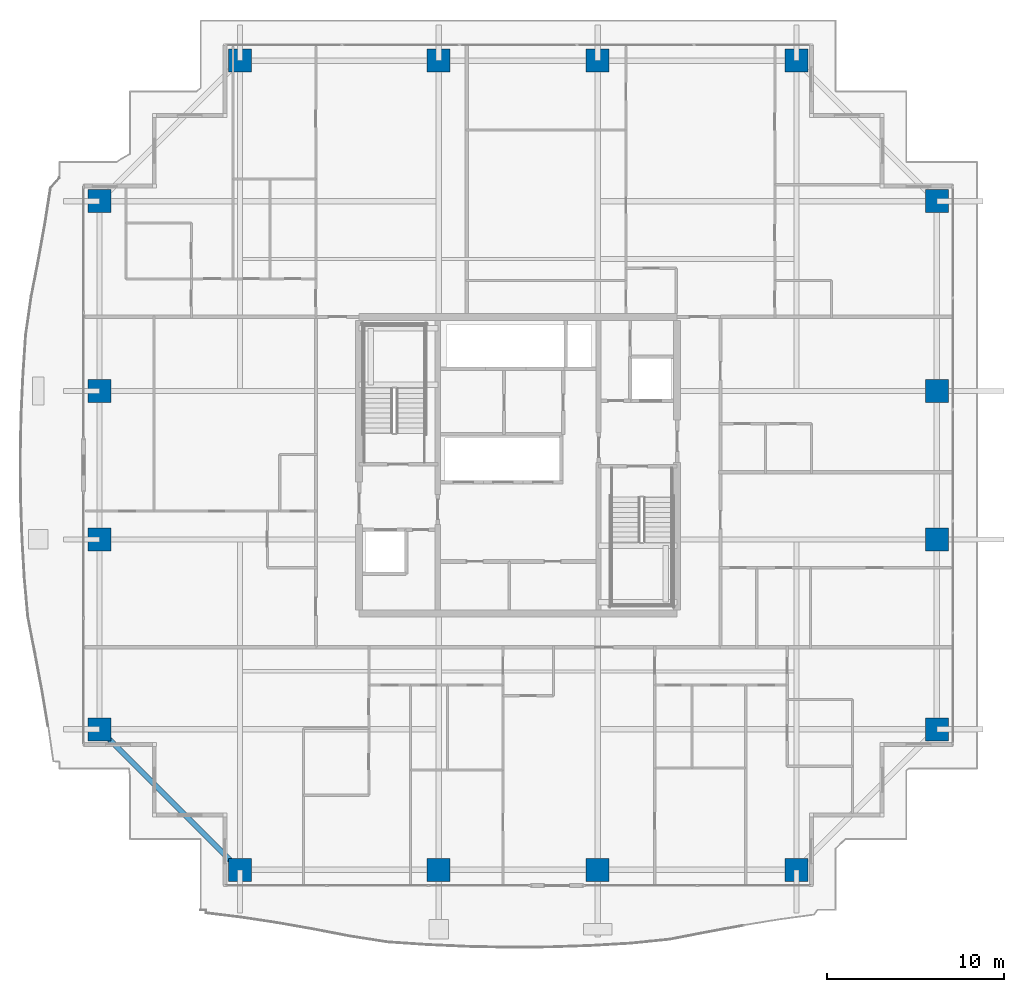
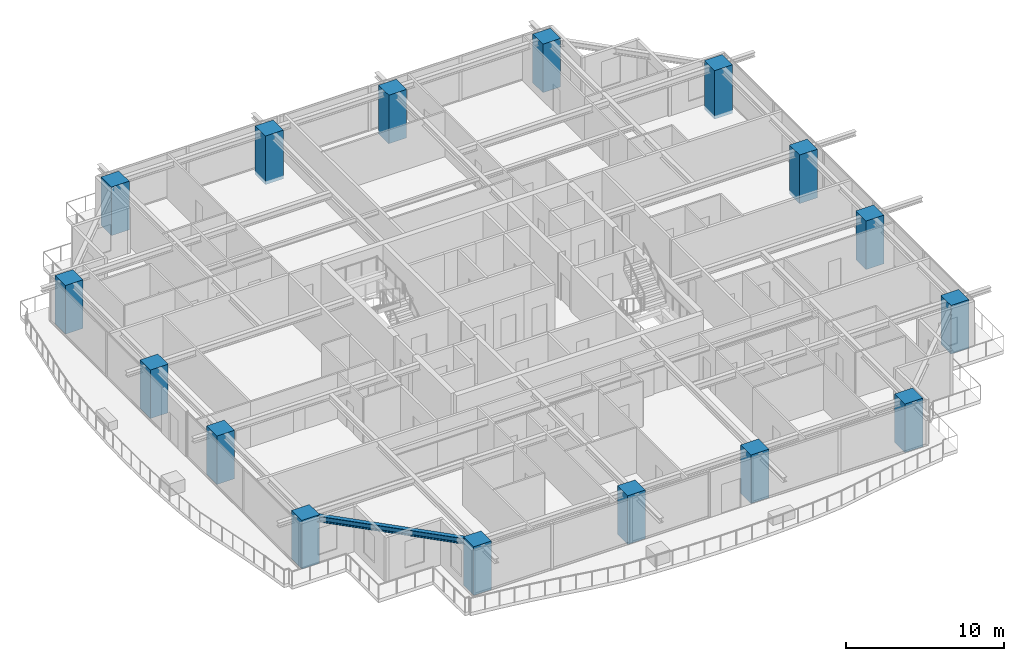
# One storey, part 1 of 34: 16 columns, 1 beam.
"""IFC4 building model written with IfcOpenShell, lengths in metres."""

import ifcopenshell
import ifcopenshell.guid

model = None  # the IFC model being written
_history = None  # IfcOwnerHistory: only IFC2X3 demands one
_inside = {}  # id of a spatial element -> (the spatial element, [elements in it])
_under = {}  # id of a project, library or spatial element -> (it, [spatial elements below it])
_declared = {}  # id of a project -> (the project, [libraries it declares])
_typed = {}  # id of a type object -> (the type object, [elements of that type])
_made_of = {}  # id of a material, layer set ... -> (it, [elements and type objects made of it])


def new_model(schema):
    """Start an empty IFC model of exactly this schema.

    Asked for "IFC4X3", IfcOpenShell would pick the latest addendum, in which some entities
    have other attributes; the version numbers below select the first issue.
    IFC2X3 requires an IfcOwnerHistory on every rooted entity: one is made here for all.
    """
    global model, _history
    if schema == "IFC4X3":
        model = ifcopenshell.file(schema_version=(4, 3, 0, 0))
    else:
        model = ifcopenshell.file(schema=schema)
    _inside.clear()
    _under.clear()
    _declared.clear()
    _typed.clear()
    _made_of.clear()
    _history = None
    if model.schema == "IFC2X3":
        org = make("IfcOrganization", Name="unknown")
        user = make(
            "IfcPersonAndOrganization",
            ThePerson=make("IfcPerson", FamilyName="unknown"),
            TheOrganization=org,
        )
        app = make(
            "IfcApplication",
            ApplicationDeveloper=org,
            Version="unknown",
            ApplicationFullName="unknown",
            ApplicationIdentifier="unknown",
        )
        _history = make(
            "IfcOwnerHistory",
            OwningUser=user,
            OwningApplication=app,
            ChangeAction="ADDED",
            CreationDate=0,
        )
    return model


def make(cls, **values):
    """One entity of the class cls with the attributes given. An attribute that is None is left unset."""
    return model.create_entity(
        cls, **{name: value for name, value in values.items() if value is not None}
    )


def rooted(cls, **values):
    """An entity with a GlobalId (a new one), such as an element, a storey or a relation."""
    return make(cls, GlobalId=ifcopenshell.guid.new(), OwnerHistory=_history, **values)


def si_unit(unit_type, name, prefix=None):
    """IfcSIUnit, for example si_unit("LENGTHUNIT", "METRE", prefix="MILLI")."""
    return make("IfcSIUnit", UnitType=unit_type, Prefix=prefix, Name=name)


def assignment(units):
    """IfcUnitAssignment: the units of a project."""
    return None if units is None else make("IfcUnitAssignment", Units=units)


def point(xyz):
    """IfcCartesianPoint."""
    return None if xyz is None else make("IfcCartesianPoint", Coordinates=xyz)


def direction(xyz):
    """IfcDirection."""
    return None if xyz is None else make("IfcDirection", DirectionRatios=xyz)


def frame(location, z_axis=None, x_axis=None):
    """IfcAxis2Placement3D, a coordinate frame: its origin and axes. An axis left out is left unset."""
    return make(
        "IfcAxis2Placement3D",
        Location=point(location),
        Axis=direction(z_axis),
        RefDirection=direction(x_axis),
    )


def frame_2d(location, x_axis=None):
    """IfcAxis2Placement2D, a coordinate frame in the plane: its origin and x axis."""
    return make(
        "IfcAxis2Placement2D", Location=point(location), RefDirection=direction(x_axis)
    )


def origin():
    """The frame at (0, 0, 0) with its axes left unset."""
    return frame((0.0, 0.0, 0.0))


def origin_2d():
    """The frame at (0, 0) in the plane with its x axis left unset."""
    return frame_2d((0.0, 0.0))


def place(relative_to, where):
    """IfcLocalPlacement: puts the frame where relative to a parent placement (None: the world)."""
    return make(
        "IfcLocalPlacement", PlacementRelTo=relative_to, RelativePlacement=where
    )


def context(
    kind, dimensions, precision=None, world=None, true_north=None, identifier=None
):
    """IfcGeometricRepresentationContext, for example the 3D "Model" context."""
    return make(
        "IfcGeometricRepresentationContext",
        ContextIdentifier=identifier,
        ContextType=kind,
        CoordinateSpaceDimension=dimensions,
        Precision=precision,
        WorldCoordinateSystem=world,
        TrueNorth=true_north,
    )


def subcontext(parent, identifier, kind, view, scale=None):
    """IfcGeometricRepresentationSubContext, for example "Body" below "Model"."""
    return make(
        "IfcGeometricRepresentationSubContext",
        ContextIdentifier=identifier,
        ContextType=kind,
        ParentContext=parent,
        TargetScale=scale,
        TargetView=view,
    )


def project(units=None, contexts=None):
    """IfcProject with its units and contexts."""
    return rooted(
        "IfcProject",
        Name="project",
        RepresentationContexts=contexts,
        UnitsInContext=assignment(units),
    )


def spatial(cls, under=None, at=None, **own):
    """A site, building, storey or space (cls), placed at a placement, below another one or the project."""
    s = rooted(cls, ObjectPlacement=at, **own)
    if under is not None:
        _under.setdefault(under.id(), (under, []))[1].append(s)
    return s


def profile(cls, at=None, kind="AREA", **sizes):
    """A parametric profile (cls). Its sizes go by their IFC names, for example OverallWidth=200.0."""
    return make(cls, ProfileType=kind, Position=at, **sizes)


def rectangle(**sizes):
    """IfcRectangleProfileDef."""
    return profile("IfcRectangleProfileDef", **sizes)


def i_section(**sizes):
    """IfcIShapeProfileDef."""
    return profile("IfcIShapeProfileDef", **sizes)


def extrude(swept, where, along, depth):
    """IfcExtrudedAreaSolid: the profile swept, set in the frame where, extruded along a direction by depth."""
    return make(
        "IfcExtrudedAreaSolid",
        SweptArea=swept,
        Position=where,
        ExtrudedDirection=direction(along),
        Depth=depth,
    )


def shape(context_of_items, identifier, shape_type, items):
    """IfcShapeRepresentation: the items that make up one representation, for example the "Body"."""
    return make(
        "IfcShapeRepresentation",
        ContextOfItems=context_of_items,
        RepresentationIdentifier=identifier,
        RepresentationType=shape_type,
        Items=items,
    )


def source(mapping_origin, context_of_items, identifier, shape_type, items):
    """IfcRepresentationMap: a shape defined once, which mapped items show again and again."""
    return make(
        "IfcRepresentationMap",
        MappingOrigin=mapping_origin,
        MappedRepresentation=shape(context_of_items, identifier, shape_type, items),
    )


def transform(
    local_origin,
    x_axis=None,
    y_axis=None,
    z_axis=None,
    scale=None,
    scale2=None,
    scale3=None,
    uniform=True,
):
    """IfcCartesianTransformationOperator3D, or its non-uniform kind. x_axis, y_axis, z_axis: its Axis1, 2, 3."""
    if uniform:
        return make(
            "IfcCartesianTransformationOperator3D",
            Axis1=direction(x_axis),
            Axis2=direction(y_axis),
            LocalOrigin=point(local_origin),
            Scale=scale,
            Axis3=direction(z_axis),
        )
    return make(
        "IfcCartesianTransformationOperator3DnonUniform",
        Axis1=direction(x_axis),
        Axis2=direction(y_axis),
        LocalOrigin=point(local_origin),
        Scale=scale,
        Axis3=direction(z_axis),
        Scale2=scale2,
        Scale3=scale3,
    )


def mapped(mapping_source, mapping_target):
    """IfcMappedItem: shows the shape of a source again, moved by a transform."""
    return make(
        "IfcMappedItem", MappingSource=mapping_source, MappingTarget=mapping_target
    )


def material(Name=None, Category=None):
    """IfcMaterial."""
    return make("IfcMaterial", Name=Name, Category=Category)


def material_profile(
    of_material, cross_section, Name=None, Category=None, Priority=None
):
    """IfcMaterialProfile: a cross section and its material."""
    return make(
        "IfcMaterialProfile",
        Name=Name,
        Material=of_material,
        Profile=cross_section,
        Priority=Priority,
        Category=Category,
    )


def profile_set(profiles, Name=None, composite=None):
    """IfcMaterialProfileSet."""
    return make(
        "IfcMaterialProfileSet",
        Name=Name,
        MaterialProfiles=profiles,
        CompositeProfile=composite,
    )


def made_of(thing, what):
    """Note that an element or type object is made of a material, layer set ...; save() writes the relation."""
    if what is not None:
        _made_of.setdefault(what.id(), (what, []))[1].append(thing)
    return thing


def type_object(cls, material=None, **own):
    """A type object (cls), such as IfcWallType, which elements share."""
    return made_of(rooted(cls, **own), material)


def element(
    cls,
    number,
    at=None,
    inside=None,
    cuts=None,
    type_object=None,
    material=None,
    context=None,
    identifier="Body",
    shape_type=None,
    held_by="IfcProductDefinitionShape",
    body=None,
    shapes=None,
    **own,
):
    """One element of the class cls, such as IfcWall. Its Tag is "e" and its number.

    at: its placement. inside: the storey or other place that contains it. cuts: it is an
    opening in that element (IfcRelVoidsElement). A single representation is given by context,
    identifier, shape_type and body (its items); several are given by shapes. held_by: the class
    of the entity that holds the representations. save() writes the other relations.
    """
    e = rooted(cls, Tag="e%d" % number, ObjectPlacement=at, **own)
    if body is not None:
        shapes = [shape(context, identifier, shape_type, body)]
    if shapes is not None:
        e.Representation = make(held_by, Representations=shapes)
    if inside is not None:
        _inside.setdefault(inside.id(), (inside, []))[1].append(e)
    if cuts is not None:
        rooted(
            "IfcRelVoidsElement", RelatingBuildingElement=cuts, RelatedOpeningElement=e
        )
    if type_object is not None:
        _typed.setdefault(type_object.id(), (type_object, []))[1].append(e)
    return made_of(e, material)


def aggregate(whole, parts):
    """IfcRelAggregates: a whole, such as a stair, and the parts it consists of."""
    return rooted("IfcRelAggregates", RelatingObject=whole, RelatedObjects=parts)


def save(model, path):
    """Write the relations noted so far, then the file.

    IfcRelAggregates (storeys below a building ...), IfcRelContainedInSpatialStructure (elements
    in a storey), IfcRelDefinesByType, IfcRelAssociatesMaterial and IfcRelDeclares: one each for
    every whole, place, type object, material and project.
    """
    for whole, parts in _under.values():
        aggregate(whole, parts)
    for where, things in _inside.values():
        rooted(
            "IfcRelContainedInSpatialStructure",
            RelatedElements=things,
            RelatingStructure=where,
        )
    for kind, things in _typed.values():
        rooted("IfcRelDefinesByType", RelatedObjects=things, RelatingType=kind)
    for what, things in _made_of.values():
        rooted("IfcRelAssociatesMaterial", RelatedObjects=things, RelatingMaterial=what)
    for by, libraries in _declared.values():
        rooted("IfcRelDeclares", RelatingContext=by, RelatedDefinitions=libraries)
    model.write(path)


model = new_model("IFC4")

# Units and contexts
model_context = context("Model", 3, precision=1e-05, world=origin(), true_north=direction((0.0, 1.0)))
body_context = subcontext(model_context, "Body", "Model", "MODEL_VIEW")
ifc_project = project(units=[si_unit("LENGTHUNIT", "METRE"), si_unit("AREAUNIT", "SQUARE_METRE"), si_unit("VOLUMEUNIT", "CUBIC_METRE"), si_unit("PLANEANGLEUNIT", "RADIAN"), si_unit("MASSUNIT", "GRAM", prefix="KILO")], contexts=[model_context])

# Site, building, storey
site_placement = place(None, origin())
site = spatial("IfcSite", under=ifc_project, at=site_placement, CompositionType="ELEMENT")
building_placement = place(site_placement, origin())
building = spatial("IfcBuilding", under=site, at=building_placement, Name="Serunith Strait Residences", CompositionType="ELEMENT")
storey_placement = place(building_placement, frame((0.0, 0.0, 187.64990234375)))
storey = spatial("IfcBuildingStorey", under=building, at=storey_placement, Name="L47", CompositionType="ELEMENT", Elevation=187.64990234375)

# Columns
ifc_material_1 = material(Name="Concrete C80/95", Category="concrete")
ifc_material_profile_1 = material_profile(ifc_material_1, rectangle(XDim=1.300048828125, YDim=1.300048828125, at=origin_2d()), Name="RC 1300x1300")
ifc_profile_set_1 = profile_set([ifc_material_profile_1], Name="Concrete C80/95")
column_type = type_object("IfcColumnType", Name="COL-RC-1300", PredefinedType="COLUMN", material=ifc_profile_set_1)
shared_shape_1 = source(origin(), body_context, "Body", "SweptSolid", [
    extrude(rectangle(XDim=1.300048828125, YDim=1.300048828125, at=origin_2d()), origin(), (0.0, 0.0, 1.0), 3.75),
])
for number, where, z_axis, x_axis, name in (
    (1, (16.64990234375, 2.300048828125, -0.260009765625), (0.0, 0.0, 1.0), (1.0, 0.0, 0.0), "L47 Tower Mega-Column TC-S1"),
    (2, (27.89990234375, 2.300048828125, -0.260009765625), (0.0, 0.0, 1.0), (1.0, 0.0, 0.0), "L47 Tower Mega-Column TC-S2"),
    (3, (36.89990234375, 2.300048828125, -0.260009765625), (0.0, 0.0, 1.0), (1.0, 0.0, 0.0), "L47 Tower Mega-Column TC-S3"),
    (4, (48.14990234375, 2.300048828125, -0.260009765625), (0.0, 0.0, 1.0), (1.0, 0.0, 0.0), "L47 Tower Mega-Column TC-S4"),
    (5, (16.64990234375, 48.10009765625, -0.260009765625), (0.0, 0.0, 1.0), (1.0, 0.0, 0.0), "L47 Tower Mega-Column TC-N1"),
    (6, (27.89990234375, 48.10009765625, -0.260009765625), (0.0, 0.0, 1.0), (1.0, 0.0, 0.0), "L47 Tower Mega-Column TC-N2"),
    (7, (36.89990234375, 48.10009765625, -0.260009765625), (0.0, 0.0, 1.0), (1.0, 0.0, 0.0), "L47 Tower Mega-Column TC-N3"),
    (8, (48.14990234375, 48.10009765625, -0.260009765625), (0.0, 0.0, 1.0), (1.0, 0.0, 0.0), "L47 Tower Mega-Column TC-N4"),
    (9, (56.10009765625, 10.25, -0.260009765625), (0.0, 0.0, 1.0), (1.0, 0.0, 0.0), "L47 Tower Mega-Column TC-E1"),
    (10, (56.10009765625, 21.0, -0.260009765625), (0.0, 0.0, 1.0), (1.0, 0.0, 0.0), "L47 Tower Mega-Column TC-E2"),
    (11, (56.10009765625, 29.39990234375, -0.260009765625), (0.0, 0.0, 1.0), (1.0, 0.0, 0.0), "L47 Tower Mega-Column TC-E3"),
    (12, (56.10009765625, 40.14990234375, -0.260009765625), (0.0, 0.0, 1.0), (1.0, 0.0, 0.0), "L47 Tower Mega-Column TC-E4"),
    (13, (8.699951171875, 10.25, -0.260009765625), (0.0, 0.0, 1.0), (1.0, 0.0, 0.0), "L47 Tower Mega-Column TC-W1"),
    (14, (8.699951171875, 21.0, -0.260009765625), (0.0, 0.0, 1.0), (1.0, 0.0, 0.0), "L47 Tower Mega-Column TC-W2"),
    (15, (8.699951171875, 29.39990234375, -0.260009765625), (0.0, 0.0, 1.0), (1.0, 0.0, 0.0), "L47 Tower Mega-Column TC-W3"),
    (16, (8.699951171875, 40.14990234375, -0.260009765625), (0.0, 0.0, 1.0), (1.0, 0.0, 0.0), "L47 Tower Mega-Column TC-W4"),
):
    element("IfcColumn", number, at=place(storey_placement, frame(where, z_axis=z_axis, x_axis=x_axis)), inside=storey, type_object=column_type, Name=name, PredefinedType="COLUMN", context=body_context, shape_type="MappedRepresentation", body=[
        mapped(shared_shape_1, transform((0.0, 0.0, 0.0), scale=1.0)),
    ])

# Beam
ifc_material_2 = material(Name="Steel S355J2", Category="steel")
ifc_material_profile_2 = material_profile(ifc_material_2, i_section(OverallWidth=0.300048828125, OverallDepth=0.449951171875, WebThickness=0.013916015625, FlangeThickness=0.02587890625, FilletRadius=0.027099609375, at=origin_2d()), Name="HEB 450")
ifc_profile_set_2 = profile_set([ifc_material_profile_2], Name="Steel S355J2")
beam_type = type_object("IfcBeamType", Name="BM-HEB450", PredefinedType="BEAM", material=ifc_profile_set_2)
shared_shape_2 = source(origin(), body_context, "Body", "SweptSolid", [
    extrude(i_section(OverallWidth=0.300048828125, OverallDepth=0.449951171875, WebThickness=0.013916015625, FlangeThickness=0.02587890625, FilletRadius=0.027099609375, at=origin_2d()), origin(), (0.0, 0.0, 1.0), 11.242919921875),
])
beam_placement = place(storey_placement, frame((8.699951171875, 10.25, 3.232177734375), z_axis=(0.707106781187, -0.707106781187, 0.0), x_axis=(0.707106781187, 0.707106781187, 0.0)))
element("IfcBeam", 17, at=beam_placement, inside=storey, type_object=beam_type, Name="L47 Perimeter Ring Beam 16", PredefinedType="BEAM", context=body_context, shape_type="MappedRepresentation", body=[
    mapped(shared_shape_2, transform((0.0, 0.0, 0.0), scale=1.0)),
])

save(model, "model.ifc")
